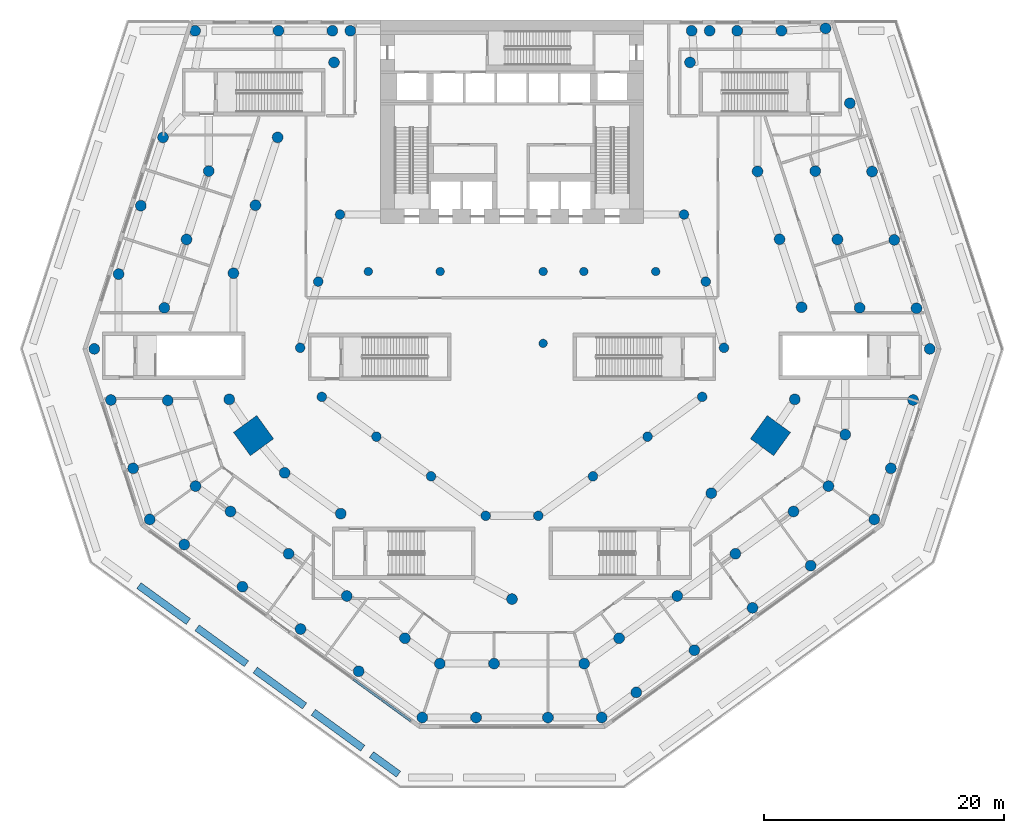
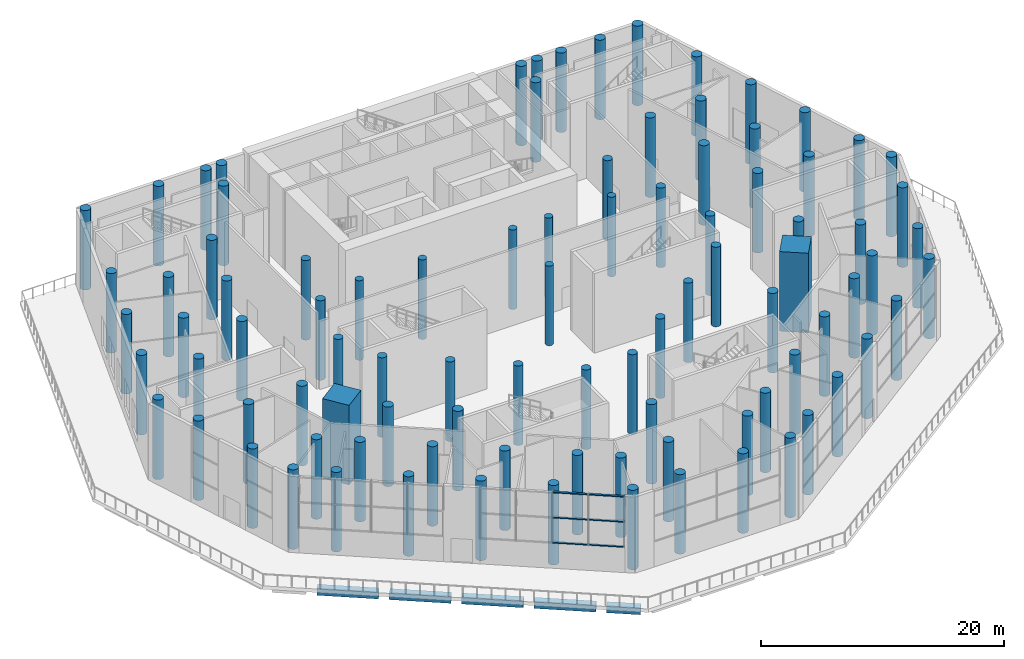
# One storey, part 1 of 23: 93 columns, 6 members, 5 beams, 1 element without a shape of its own.
"""IFC4 building model written with IfcOpenShell, lengths in metres."""

from ifc_helpers import new_model, si_unit, direction, frame, origin, origin_2d, place, context, subcontext, project, spatial, rectangle, circle, extrude, material, material_profile, profile_set, type_object, element, aggregate, save


model = new_model("IFC4")

# Units and contexts
model_context = context("Model", 3, precision=1e-05, world=origin(), true_north=direction((0.0, 1.0)))
body_context = subcontext(model_context, "Body", "Model", "MODEL_VIEW")
ifc_project = project(units=[si_unit("LENGTHUNIT", "METRE"), si_unit("AREAUNIT", "SQUARE_METRE"), si_unit("VOLUMEUNIT", "CUBIC_METRE"), si_unit("PLANEANGLEUNIT", "RADIAN"), si_unit("MASSUNIT", "GRAM", prefix="KILO")], contexts=[model_context])

# Site, building, storey
site_placement = place(None, origin())
site = spatial("IfcSite", under=ifc_project, at=site_placement, CompositionType="ELEMENT")
building_placement = place(site_placement, origin())
building = spatial("IfcBuilding", under=site, at=building_placement, Name="White Candle Pilgrim Tower", CompositionType="ELEMENT")
storey_placement = place(building_placement, frame((0.0, 0.0, 15.0)))
storey = spatial("IfcBuildingStorey", under=building, at=storey_placement, Name="L02", CompositionType="ELEMENT", Elevation=15.0)

# Columns
ifc_material_1 = material(Name="Concrete C80/95", Category="concrete")
ifc_material_profile_1 = material_profile(ifc_material_1, circle(Radius=0.35009765625, at=origin_2d()), Name="RC-COL D700")
ifc_profile_set_1 = profile_set([ifc_material_profile_1], Name="Concrete C80/95")
column_type_1 = type_object("IfcColumnType", Name="Interior column RC-COL D700 C80/95", PredefinedType="COLUMN", material=ifc_profile_set_1)
for number, where, z_axis, x_axis, name in (
    (1, (58.0, 67.0, 0.0), (0.0, 0.0, 1.0), (1.0, 0.0, 0.0), "L02 column I01"),
    (2, (64.0, 67.0, 0.0), (0.0, 0.0, 1.0), (1.0, 0.0, 0.0), "L02 column I02"),
    (3, (72.60009765625, 61.0, 0.0), (0.0, 0.0, 1.0), (1.0, 0.0, 0.0), "L02 column I03"),
    (4, (72.60009765625, 67.0, 0.0), (0.0, 0.0, 1.0), (1.0, 0.0, 0.0), "L02 column I04"),
    (5, (76.0, 67.0, 0.0), (0.0, 0.0, 1.0), (1.0, 0.0, 0.0), "L02 column I05"),
    (6, (82.0, 67.0, 0.0), (0.0, 0.0, 1.0), (1.0, 0.0, 0.0), "L02 column I06"),
):
    element("IfcColumn", number, at=place(storey_placement, frame(where, z_axis=z_axis, x_axis=x_axis)), inside=storey, type_object=column_type_1, Name=name, PredefinedType="COLUMN", context=body_context, shape_type="SweptSolid", body=[
        extrude(circle(Radius=0.35009765625, at=origin_2d()), origin(), (0.0, 0.0, 1.0), 8.0),
    ])
ifc_material_profile_2 = material_profile(ifc_material_1, rectangle(XDim=2.39990234375, YDim=2.39990234375, at=origin_2d()), Name="RC 2400x2400")
ifc_profile_set_2 = profile_set([ifc_material_profile_2], Name="Concrete C80/95")
column_type_2 = type_object("IfcColumnType", Name="Mega column RC 2400x2400 C80/95", PredefinedType="COLUMN", material=ifc_profile_set_2)
for number, where, z_axis, x_axis, name in (
    (7, (48.419921875, 53.300048828125, 0.0), (0.0, 0.0, 1.0), (-0.809016994375, -0.587785252292, 0.0), "L02 mega column T02"),
    (8, (91.580078125, 53.300048828125, 0.0), (0.0, 0.0, 1.0), (0.809016994375, -0.587785252292, 0.0), "L02 mega column T07"),
):
    element("IfcColumn", number, at=place(storey_placement, frame(where, z_axis=z_axis, x_axis=x_axis)), inside=storey, type_object=column_type_2, Name=name, PredefinedType="COLUMN", context=body_context, shape_type="SweptSolid", body=[
        extrude(rectangle(XDim=2.39990234375, YDim=2.39990234375, at=origin_2d()), origin(), (0.0, 0.0, 1.0), 8.0),
    ])
ifc_material_profile_3 = material_profile(ifc_material_1, circle(Radius=0.449951171875, at=origin_2d()), Name="RC-COL D900")
ifc_profile_set_3 = profile_set([ifc_material_profile_3], Name="Concrete C80/95")
column_type_3 = type_object("IfcColumnType", Name="Perimeter column RC-COL D900 C80/95", PredefinedType="COLUMN", material=ifc_profile_set_3)
for number, where, z_axis, x_axis, name in (
    (9, (46.389892578125, 56.330078125, 0.0), (0.0, 0.0, 1.0), (1.0, 0.0, 0.0), "L02 column T01"),
    (10, (51.02001953125, 50.18994140625, 0.0), (0.0, 0.0, 1.0), (1.0, 0.0, 0.0), "L02 column T03"),
    (11, (55.699951171875, 46.780029296875, 0.0), (0.0, 0.0, 1.0), (1.0, 0.0, 0.0), "L02 column T04"),
    (12, (70.0, 39.64990234375, 0.0), (0.0, 0.0, 1.0), (1.0, 0.0, 0.0), "L02 column T05"),
    (13, (86.639892578125, 48.489990234375, 0.0), (0.0, 0.0, 1.0), (1.0, 0.0, 0.0), "L02 column T06"),
    (14, (93.610107421875, 56.330078125, 0.0), (0.0, 0.0, 1.0), (1.0, 0.0, 0.0), "L02 column T08"),
    (15, (94.179931640625, 64.02001953125, 0.0), (0.0, 0.0, 1.0), (1.0, 0.0, 0.0), "L02 column T09"),
    (16, (92.340087890625, 69.68994140625, 0.0), (0.0, 0.0, 1.0), (1.0, 0.0, 0.0), "L02 column T10"),
    (17, (90.5, 75.360107421875, 0.0), (0.0, 0.0, 1.0), (1.0, 0.0, 0.0), "L02 column T11"),
    (18, (84.860107421875, 84.4599609375, 0.0), (0.0, 0.0, 1.0), (1.0, 0.0, 0.0), "L02 column T12"),
    (19, (55.139892578125, 84.4599609375, 0.0), (0.0, 0.0, 1.0), (1.0, 0.0, 0.0), "L02 column T13"),
    (20, (50.429931640625, 78.199951171875, 0.0), (0.0, 0.0, 1.0), (1.0, 0.0, 0.0), "L02 column T14"),
    (21, (48.580078125, 72.530029296875, 0.0), (0.0, 0.0, 1.0), (1.0, 0.0, 0.0), "L02 column T15"),
    (22, (46.739990234375, 66.860107421875, 0.0), (0.0, 0.0, 1.0), (1.0, 0.0, 0.0), "L02 column T16"),
    (23, (35.1240234375, 60.5390625, 0.0), (0.0, 0.0, 1.0), (1.0, 0.0, 0.0), "L02 column B01"),
    (24, (36.510009765625, 56.27294921875, 0.0), (0.0, 0.0, 1.0), (1.0, 0.0, 0.0), "L02 column B02"),
    (25, (38.364013671875, 50.56591796875, 0.0), (0.0, 0.0, 1.0), (1.0, 0.0, 0.0), "L02 column B03"),
    (26, (39.75, 46.300048828125, 0.0), (0.0, 0.0, 1.0), (1.0, 0.0, 0.0), "L02 column B04"),
    (27, (42.636962890625, 44.201904296875, 0.0), (0.0, 0.0, 1.0), (1.0, 0.0, 0.0), "L02 column B05"),
    (28, (47.491943359375, 40.676025390625, 0.0), (0.0, 0.0, 1.0), (1.0, 0.0, 0.0), "L02 column B06"),
    (29, (52.345947265625, 37.14892578125, 0.0), (0.0, 0.0, 1.0), (1.0, 0.0, 0.0), "L02 column B07"),
    (30, (57.199951171875, 33.6220703125, 0.0), (0.0, 0.0, 1.0), (1.0, 0.0, 0.0), "L02 column B08"),
    (31, (62.513916015625, 29.760986328125, 0.0), (0.0, 0.0, 1.0), (1.0, 0.0, 0.0), "L02 column B09"),
    (32, (67.0, 29.760986328125, 0.0), (0.0, 0.0, 1.0), (1.0, 0.0, 0.0), "L02 column B10"),
    (33, (73.0, 29.760986328125, 0.0), (0.0, 0.0, 1.0), (1.0, 0.0, 0.0), "L02 column B11"),
    (34, (77.486083984375, 29.760986328125, 0.0), (0.0, 0.0, 1.0), (1.0, 0.0, 0.0), "L02 column B12"),
    (35, (80.373046875, 31.85888671875, 0.0), (0.0, 0.0, 1.0), (1.0, 0.0, 0.0), "L02 column B13"),
    (36, (85.22705078125, 35.385986328125, 0.0), (0.0, 0.0, 1.0), (1.0, 0.0, 0.0), "L02 column B14"),
    (37, (90.0810546875, 38.912109375, 0.0), (0.0, 0.0, 1.0), (1.0, 0.0, 0.0), "L02 column B15"),
    (38, (94.93603515625, 42.43896484375, 0.0), (0.0, 0.0, 1.0), (1.0, 0.0, 0.0), "L02 column B16"),
    (39, (100.25, 46.300048828125, 0.0), (0.0, 0.0, 1.0), (1.0, 0.0, 0.0), "L02 column B17"),
    (40, (101.635986328125, 50.56591796875, 0.0), (0.0, 0.0, 1.0), (1.0, 0.0, 0.0), "L02 column B18"),
    (41, (103.489990234375, 56.27294921875, 0.0), (0.0, 0.0, 1.0), (1.0, 0.0, 0.0), "L02 column B19"),
    (42, (104.8759765625, 60.5390625, 0.0), (0.0, 0.0, 1.0), (1.0, 0.0, 0.0), "L02 column B20"),
    (43, (103.77392578125, 63.93310546875, 0.0), (0.0, 0.0, 1.0), (1.0, 0.0, 0.0), "L02 column B21"),
    (44, (101.9189453125, 69.639892578125, 0.0), (0.0, 0.0, 1.0), (1.0, 0.0, 0.0), "L02 column B22"),
    (45, (100.06494140625, 75.345947265625, 0.0), (0.0, 0.0, 1.0), (1.0, 0.0, 0.0), "L02 column B23"),
    (46, (98.2109375, 81.052001953125, 0.0), (0.0, 0.0, 1.0), (1.0, 0.0, 0.0), "L02 column B24"),
    (47, (96.180908203125, 87.300048828125, 0.0), (0.0, 0.0, 1.0), (1.0, 0.0, 0.0), "L02 column B25"),
    (48, (92.5, 87.10009765625, 0.0), (0.0, 0.0, 1.0), (1.0, 0.0, 0.0), "L02 column B27"),
    (49, (86.5, 87.10009765625, 0.0), (0.0, 0.0, 1.0), (1.0, 0.0, 0.0), "L02 column B28"),
    (50, (56.5, 87.10009765625, 0.0), (0.0, 0.0, 1.0), (1.0, 0.0, 0.0), "L02 column B29"),
    (51, (50.5, 87.10009765625, 0.0), (0.0, 0.0, 1.0), (1.0, 0.0, 0.0), "L02 column B30"),
    (52, (43.5439453125, 87.10009765625, 0.0), (0.0, 0.0, 1.0), (1.0, 0.0, 0.0), "L02 column B31"),
    (53, (40.862060546875, 78.198974609375, 0.0), (0.0, 0.0, 1.0), (1.0, 0.0, 0.0), "L02 column B33"),
    (54, (39.008056640625, 72.492919921875, 0.0), (0.0, 0.0, 1.0), (1.0, 0.0, 0.0), "L02 column B34"),
    (55, (37.153076171875, 66.787109375, 0.0), (0.0, 0.0, 1.0), (1.0, 0.0, 0.0), "L02 column B35"),
    (56, (41.2529296875, 56.237060546875, 0.0), (0.0, 0.0, 1.0), (1.0, 0.0, 0.0), "L02 column C01"),
    (57, (43.577880859375, 49.0810546875, 0.0), (0.0, 0.0, 1.0), (1.0, 0.0, 0.0), "L02 column C02"),
    (58, (46.49609375, 46.9609375, 0.0), (0.0, 0.0, 1.0), (1.0, 0.0, 0.0), "L02 column C03"),
    (59, (51.35009765625, 43.43408203125, 0.0), (0.0, 0.0, 1.0), (1.0, 0.0, 0.0), "L02 column C04"),
    (60, (56.2041015625, 39.907958984375, 0.0), (0.0, 0.0, 1.0), (1.0, 0.0, 0.0), "L02 column C05"),
    (61, (61.05810546875, 36.381103515625, 0.0), (0.0, 0.0, 1.0), (1.0, 0.0, 0.0), "L02 column C06"),
    (62, (63.97607421875, 34.260986328125, 0.0), (0.0, 0.0, 1.0), (1.0, 0.0, 0.0), "L02 column C07"),
    (63, (68.5, 34.260986328125, 0.0), (0.0, 0.0, 1.0), (1.0, 0.0, 0.0), "L02 column C08"),
    (64, (76.02392578125, 34.260986328125, 0.0), (0.0, 0.0, 1.0), (1.0, 0.0, 0.0), "L02 column C09"),
    (65, (78.94189453125, 36.381103515625, 0.0), (0.0, 0.0, 1.0), (1.0, 0.0, 0.0), "L02 column C10"),
    (66, (83.7958984375, 39.907958984375, 0.0), (0.0, 0.0, 1.0), (1.0, 0.0, 0.0), "L02 column C11"),
    (67, (88.64990234375, 43.43408203125, 0.0), (0.0, 0.0, 1.0), (1.0, 0.0, 0.0), "L02 column C12"),
    (68, (93.50390625, 46.9609375, 0.0), (0.0, 0.0, 1.0), (1.0, 0.0, 0.0), "L02 column C13"),
    (69, (96.422119140625, 49.0810546875, 0.0), (0.0, 0.0, 1.0), (1.0, 0.0, 0.0), "L02 column C14"),
    (70, (97.820068359375, 53.384033203125, 0.0), (0.0, 0.0, 1.0), (1.0, 0.0, 0.0), "L02 column C15"),
    (71, (99.030029296875, 63.968994140625, 0.0), (0.0, 0.0, 1.0), (1.0, 0.0, 0.0), "L02 column C16"),
    (72, (97.176025390625, 69.676025390625, 0.0), (0.0, 0.0, 1.0), (1.0, 0.0, 0.0), "L02 column C17"),
    (73, (95.322021484375, 75.382080078125, 0.0), (0.0, 0.0, 1.0), (1.0, 0.0, 0.0), "L02 column C18"),
    (74, (88.800048828125, 87.10009765625, 0.0), (0.0, 0.0, 1.0), (1.0, 0.0, 0.0), "L02 column C19"),
    (75, (85.0, 87.10009765625, 0.0), (0.0, 0.0, 1.0), (1.0, 0.0, 0.0), "L02 column C20"),
    (76, (55.0, 87.10009765625, 0.0), (0.0, 0.0, 1.0), (1.0, 0.0, 0.0), "L02 column C21"),
    (77, (44.677978515625, 75.382080078125, 0.0), (0.0, 0.0, 1.0), (1.0, 0.0, 0.0), "L02 column C23"),
    (78, (42.823974609375, 69.676025390625, 0.0), (0.0, 0.0, 1.0), (1.0, 0.0, 0.0), "L02 column C24"),
    (79, (40.969970703125, 63.968994140625, 0.0), (0.0, 0.0, 1.0), (1.0, 0.0, 0.0), "L02 column C25"),
):
    element("IfcColumn", number, at=place(storey_placement, frame(where, z_axis=z_axis, x_axis=x_axis)), inside=storey, type_object=column_type_3, Name=name, PredefinedType="COLUMN", context=body_context, shape_type="SweptSolid", body=[
        extrude(circle(Radius=0.449951171875, at=origin_2d()), origin(), (0.0, 0.0, 1.0), 8.0),
    ])
ifc_material_profile_4 = material_profile(ifc_material_1, circle(Radius=0.39990234375, at=origin_2d()), Name="RC-COL D800")
ifc_profile_set_4 = profile_set([ifc_material_profile_4], Name="Concrete C80/95")
column_type_4 = type_object("IfcColumnType", Name="Ring column RC-COL D800 C80/95", PredefinedType="COLUMN", material=ifc_profile_set_4)
for number, where, z_axis, x_axis, name in (
    (80, (52.31005859375, 60.6298828125, 0.0), (0.0, 0.0, 1.0), (1.0, 0.0, 0.0), "L02 column R01"),
    (81, (54.1201171875, 56.530029296875, 0.0), (0.0, 0.0, 1.0), (1.0, 0.0, 0.0), "L02 column R02"),
    (82, (58.679931640625, 53.2099609375, 0.0), (0.0, 0.0, 1.0), (1.0, 0.0, 0.0), "L02 column R03"),
    (83, (63.239990234375, 49.89990234375, 0.0), (0.0, 0.0, 1.0), (1.0, 0.0, 0.0), "L02 column R04"),
    (84, (67.800048828125, 46.60009765625, 0.0), (0.0, 0.0, 1.0), (1.0, 0.0, 0.0), "L02 column R05"),
    (85, (72.199951171875, 46.60009765625, 0.0), (0.0, 0.0, 1.0), (1.0, 0.0, 0.0), "L02 column R06"),
    (86, (76.760009765625, 49.89990234375, 0.0), (0.0, 0.0, 1.0), (1.0, 0.0, 0.0), "L02 column R07"),
    (87, (81.320068359375, 53.2099609375, 0.0), (0.0, 0.0, 1.0), (1.0, 0.0, 0.0), "L02 column R08"),
    (88, (85.8798828125, 56.530029296875, 0.0), (0.0, 0.0, 1.0), (1.0, 0.0, 0.0), "L02 column R09"),
    (89, (87.699951171875, 60.6298828125, 0.0), (0.0, 0.0, 1.0), (1.0, 0.0, 0.0), "L02 column R10"),
    (90, (86.179931640625, 66.159912109375, 0.0), (0.0, 0.0, 1.0), (1.0, 0.0, 0.0), "L02 column R11"),
    (91, (84.360107421875, 71.760009765625, 0.0), (0.0, 0.0, 1.0), (1.0, 0.0, 0.0), "L02 column R12"),
    (92, (55.639892578125, 71.760009765625, 0.0), (0.0, 0.0, 1.0), (1.0, 0.0, 0.0), "L02 column R13"),
    (93, (53.820068359375, 66.159912109375, 0.0), (0.0, 0.0, 1.0), (1.0, 0.0, 0.0), "L02 column R14"),
):
    element("IfcColumn", number, at=place(storey_placement, frame(where, z_axis=z_axis, x_axis=x_axis)), inside=storey, type_object=column_type_4, Name=name, PredefinedType="COLUMN", context=body_context, shape_type="SweptSolid", body=[
        extrude(circle(Radius=0.39990234375, at=origin_2d()), origin(), (0.0, 0.0, 1.0), 8.0),
    ])

# Curtain wall, members
ifc_material_2 = material(Name="Aluminium and glass", Category="aluminium")
curtain_wall_type = type_object("IfcCurtainWallType", Name="Curtain wall CW2 prayer hall clerestory", PredefinedType="NOTDEFINED", material=ifc_material_2)
curtain_wall_placement = place(storey_placement, origin())
curtain_wall = element("IfcCurtainWall", 94, at=curtain_wall_placement, inside=storey, type_object=curtain_wall_type, Name="Curtain wall CW2 L02 SW", PredefinedType="NOTDEFINED")
ifc_material_3 = material(Name="Aluminium", Category="aluminium")
ifc_material_profile_5 = material_profile(ifc_material_3, rectangle(XDim=0.199951171875, YDim=0.10009765625, at=origin_2d()), Name="CW2 transom 100x200")
ifc_profile_set_5 = profile_set([ifc_material_profile_5], Name="Aluminium")
member_type = type_object("IfcMemberType", Name="CW2 transom 100x200", PredefinedType="USERDEFINED", material=ifc_profile_set_5)
member_1_placement = place(storey_placement, frame((56.749755859375, 32.960205078125, 2.550048828125), z_axis=(0.809015152931, -0.587787786815, 0.0), x_axis=(0.587787786815, 0.809015152931, 0.0)))
member_1 = element("IfcMember", 95, at=member_1_placement, type_object=member_type, Name="CW2 transom 3.1", ObjectType="TRANSOM", PredefinedType="USERDEFINED", context=body_context, shape_type="SweptSolid", body=[
    extrude(rectangle(XDim=0.199951171875, YDim=0.10009765625, at=origin_2d()), origin(), (0.0, 0.0, 1.0), 2.949951171875),
])
member_2_placement = place(storey_placement, frame((56.749755859375, 32.960205078125, 5.074951171875), z_axis=(0.809015152931, -0.587787786815, 0.0), x_axis=(0.587787786815, 0.809015152931, 0.0)))
member_2 = element("IfcMember", 96, at=member_2_placement, type_object=member_type, Name="CW2 transom 3.2", ObjectType="TRANSOM", PredefinedType="USERDEFINED", context=body_context, shape_type="SweptSolid", body=[
    extrude(rectangle(XDim=0.199951171875, YDim=0.10009765625, at=origin_2d()), origin(), (0.0, 0.0, 1.0), 2.949951171875),
])
member_3_placement = place(storey_placement, frame((56.749755859375, 32.960205078125, 7.60009765625), z_axis=(0.809015152931, -0.587787786815, 0.0), x_axis=(0.587787786815, 0.809015152931, 0.0)))
member_3 = element("IfcMember", 97, at=member_3_placement, type_object=member_type, Name="CW2 transom 3.3", ObjectType="TRANSOM", PredefinedType="USERDEFINED", context=body_context, shape_type="SweptSolid", body=[
    extrude(rectangle(XDim=0.199951171875, YDim=0.10009765625, at=origin_2d()), origin(), (0.0, 0.0, 1.0), 2.949951171875),
])
member_4_placement = place(storey_placement, frame((59.1767578125, 31.197021484375, 2.550048828125), z_axis=(0.808992256893, -0.587819299009, 0.0), x_axis=(0.587819299009, 0.808992256893, 0.0)))
member_4 = element("IfcMember", 98, at=member_4_placement, type_object=member_type, Name="CW2 transom 4.1", ObjectType="TRANSOM", PredefinedType="USERDEFINED", context=body_context, shape_type="SweptSolid", body=[
    extrude(rectangle(XDim=0.199951171875, YDim=0.10009765625, at=origin_2d()), origin(), (0.0, 0.0, 1.0), 2.92529296875),
])
member_5_placement = place(storey_placement, frame((59.1767578125, 31.197021484375, 5.074951171875), z_axis=(0.808992256893, -0.587819299009, 0.0), x_axis=(0.587819299009, 0.808992256893, 0.0)))
member_5 = element("IfcMember", 99, at=member_5_placement, type_object=member_type, Name="CW2 transom 4.2", ObjectType="TRANSOM", PredefinedType="USERDEFINED", context=body_context, shape_type="SweptSolid", body=[
    extrude(rectangle(XDim=0.199951171875, YDim=0.10009765625, at=origin_2d()), origin(), (0.0, 0.0, 1.0), 2.92529296875),
])
member_6_placement = place(storey_placement, frame((59.1767578125, 31.197021484375, 7.60009765625), z_axis=(0.808992256893, -0.587819299009, 0.0), x_axis=(0.587819299009, 0.808992256893, 0.0)))
member_6 = element("IfcMember", 100, at=member_6_placement, type_object=member_type, Name="CW2 transom 4.3", ObjectType="TRANSOM", PredefinedType="USERDEFINED", context=body_context, shape_type="SweptSolid", body=[
    extrude(rectangle(XDim=0.199951171875, YDim=0.10009765625, at=origin_2d()), origin(), (0.0, 0.0, 1.0), 2.92529296875),
])
aggregate(curtain_wall, [member_1, member_2, member_3, member_4, member_5, member_6])

# Beams
ifc_material_4 = material(Name="Concrete C50/60", Category="concrete")
ifc_material_profile_6 = material_profile(ifc_material_4, rectangle(XDim=0.60009765625, YDim=0.699951171875, at=origin_2d()), Name="RC-BM 600x700")
ifc_profile_set_6 = profile_set([ifc_material_profile_6], Name="Concrete C50/60")
beam_type = type_object("IfcBeamType", Name="Spandrel beam RC-BM 600x700 C50/60", PredefinedType="BEAM", material=ifc_profile_set_6)
beam_1_placement = place(storey_placement, frame((38.848876953125, 40.774658203125, -0.699951171875), z_axis=(0.808978190317, -0.587838657789, 0.0), x_axis=(0.587838657789, 0.808978190317, 0.0)))
element("IfcBeam", 101, at=beam_1_placement, inside=storey, type_object=beam_type, Name="L02 spandrel beam A05", PredefinedType="BEAM", context=body_context, shape_type="SweptSolid", body=[
    extrude(rectangle(XDim=0.60009765625, YDim=0.699951171875, at=origin_2d()), origin(), (0.0, 0.0, 1.0), 5.1005859375),
])
beam_2_placement = place(storey_placement, frame((43.702880859375, 37.24755859375, -0.699951171875), z_axis=(0.80900095282, -0.587807330965, 0.0), x_axis=(0.587807330965, 0.80900095282, 0.0)))
element("IfcBeam", 102, at=beam_2_placement, inside=storey, type_object=beam_type, Name="L02 spandrel beam A06", PredefinedType="BEAM", context=body_context, shape_type="SweptSolid", body=[
    extrude(rectangle(XDim=0.60009765625, YDim=0.699951171875, at=origin_2d()), origin(), (0.0, 0.0, 1.0), 5.100341796875),
])
beam_3_placement = place(storey_placement, frame((48.556884765625, 33.720703125, -0.699951171875), z_axis=(0.809069240735, -0.587713334625, 0.0), x_axis=(0.587713334625, 0.809069240735, 0.0)))
element("IfcBeam", 103, at=beam_3_placement, inside=storey, type_object=beam_type, Name="L02 spandrel beam A07", PredefinedType="BEAM", context=body_context, shape_type="SweptSolid", body=[
    extrude(rectangle(XDim=0.60009765625, YDim=0.699951171875, at=origin_2d()), origin(), (0.0, 0.0, 1.0), 5.099853515625),
])
beam_4_placement = place(storey_placement, frame((53.410888671875, 30.194580078125, -0.699951171875), z_axis=(0.808978190317, -0.587838657789, 0.0), x_axis=(0.587838657789, 0.808978190317, 0.0)))
element("IfcBeam", 104, at=beam_4_placement, inside=storey, type_object=beam_type, Name="L02 spandrel beam A08", PredefinedType="BEAM", context=body_context, shape_type="SweptSolid", body=[
    extrude(rectangle(XDim=0.60009765625, YDim=0.699951171875, at=origin_2d()), origin(), (0.0, 0.0, 1.0), 5.1005859375),
])
beam_5_placement = place(storey_placement, frame((58.264892578125, 26.66748046875, -0.699951171875), z_axis=(0.809030737429, -0.587766336136, 0.0), x_axis=(0.587766336136, 0.809030737429, 0.0)))
element("IfcBeam", 105, at=beam_5_placement, inside=storey, type_object=beam_type, Name="L02 spandrel beam A09", PredefinedType="BEAM", context=body_context, shape_type="SweptSolid", body=[
    extrude(rectangle(XDim=0.60009765625, YDim=0.699951171875, at=origin_2d()), origin(), (0.0, 0.0, 1.0), 2.793701171875),
])

save(model, "model.ifc")
